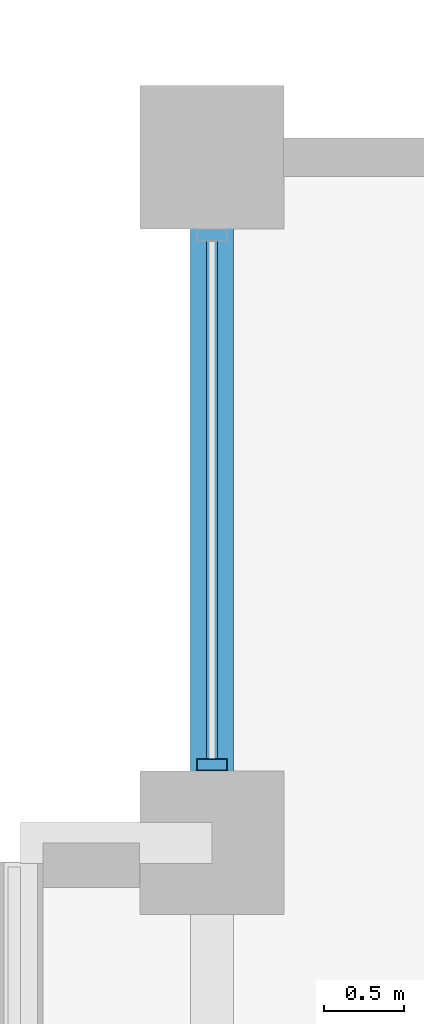
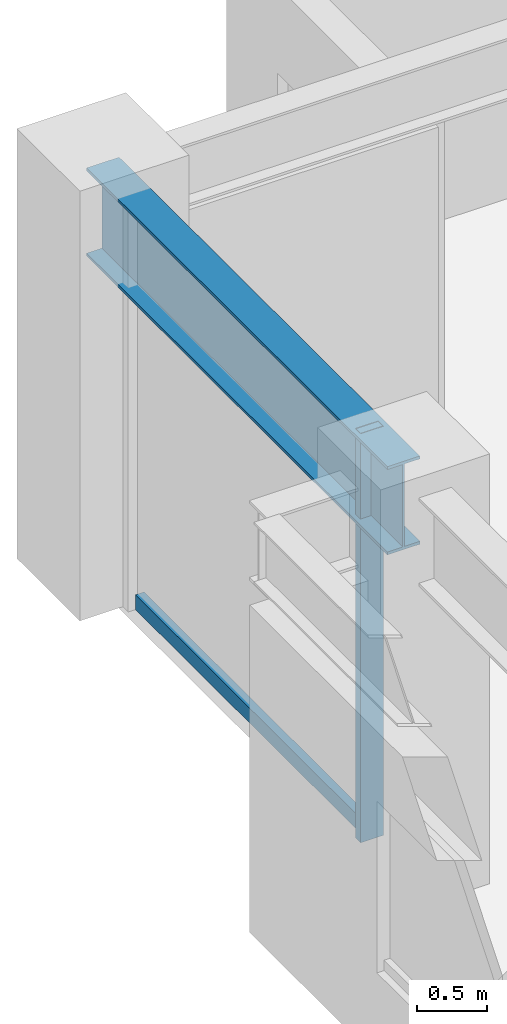
# One storey, part 13 of 28: 2 members, 1 beam, 1 element without a shape of its own.
"""IFC4 building model written with IfcOpenShell, lengths in metres."""

from ifc_helpers import new_model, si_unit, direction, frame, origin, origin_2d, place, context, subcontext, project, spatial, hollow_rectangle, i_section, extrude, material, layer, layer_set, material_profile, profile_set, type_object, element, aggregate, save


model = new_model("IFC4")

# Units and contexts
model_context = context("Model", 3, precision=1e-05, world=origin(), true_north=direction((0.0, 1.0)))
body_context = subcontext(model_context, "Body", "Model", "MODEL_VIEW")
ifc_project = project(units=[si_unit("LENGTHUNIT", "METRE"), si_unit("AREAUNIT", "SQUARE_METRE"), si_unit("VOLUMEUNIT", "CUBIC_METRE"), si_unit("PLANEANGLEUNIT", "RADIAN"), si_unit("MASSUNIT", "GRAM", prefix="KILO")], contexts=[model_context])

# Site, building, storey
site_placement = place(None, origin())
site = spatial("IfcSite", under=ifc_project, at=site_placement, CompositionType="ELEMENT")
building_placement = place(site_placement, origin())
building = spatial("IfcBuilding", under=site, at=building_placement, Name="Surkhivell Harbour Commons", CompositionType="ELEMENT")
storey_placement = place(building_placement, frame((0.0, 0.0, 182.25)))
storey = spatial("IfcBuildingStorey", under=building, at=storey_placement, Name="L47", CompositionType="ELEMENT", Elevation=182.25)

# Beam
ifc_material_1 = material(Name="Steel S355", Category="steel")
ifc_material_profile_1 = material_profile(ifc_material_1, i_section(OverallWidth=0.26806640625, OverallDepth=0.77001953125, WebThickness=0.015625, FlangeThickness=0.025390625, at=origin_2d()), Name="UB762x267x197")
ifc_profile_set_1 = profile_set([ifc_material_profile_1], Name="Steel S355")
beam_type = type_object("IfcBeamType", Name="BM-SPN-762", PredefinedType="SPANDREL", material=ifc_profile_set_1)
beam_placement = place(storey_placement, frame((-27.0, 16.199951171875, 3.18505859375), z_axis=(0.0, 1.0, 0.0), x_axis=(-1.0, 0.0, 0.0)))
element("IfcBeam", 1, at=beam_placement, inside=storey, type_object=beam_type, Name="L47 Tube Spandrel (-27.0,16.2)", PredefinedType="SPANDREL", context=body_context, shape_type="SweptSolid", body=[
    extrude(i_section(OverallWidth=0.26806640625, OverallDepth=0.77001953125, WebThickness=0.015625, FlangeThickness=0.025390625, at=origin_2d()), origin(), (0.0, 0.0, 1.0), 4.300048828125),
])

# Curtain wall, members
ifc_material_2 = material(Name="Anodised pale-metal aluminium and insulated glazing", Category="aluminium")
ifc_layer = layer(ifc_material_2, 0.18994140625)
ifc_layer_set = layer_set([ifc_layer], Name="Anodised pale-metal aluminium and insulated glazing")
curtain_wall_type = type_object("IfcCurtainWallType", Name="CW-SYS-Z3", PredefinedType="NOTDEFINED", material=ifc_layer_set)
curtain_wall_placement = place(storey_placement, origin())
curtain_wall = element("IfcCurtainWall", 2, at=curtain_wall_placement, inside=storey, type_object=curtain_wall_type, Name="L47 Curtain Wall CW-L47-E12R2", PredefinedType="NOTDEFINED")
ifc_material_3 = material(Name="Anodised pale-metal aluminium alloy 6063-T6", Category="aluminium")
ifc_material_profile_2 = material_profile(ifc_material_3, hollow_rectangle(XDim=0.074951171875, YDim=0.18994140625, WallThickness=0.00390625, at=origin_2d()), Name="ALU-MULL-75x190")
ifc_profile_set_2 = profile_set([ifc_material_profile_2], Name="Anodised pale-metal aluminium alloy 6063-T6")
member_type_1 = type_object("IfcMemberType", Name="CWM-190", PredefinedType="MULLION", material=ifc_profile_set_2)
member_1_placement = place(storey_placement, frame((-27.0, 16.689453125, 0.0), z_axis=(0.0, 0.0, 1.0), x_axis=(0.0, 1.0, 0.0)))
member_1 = element("IfcMember", 3, at=member_1_placement, type_object=member_type_1, Name="CW-Z3 mullion 1", PredefinedType="MULLION", context=body_context, shape_type="SweptSolid", body=[
    extrude(hollow_rectangle(XDim=0.074951171875, YDim=0.18994140625, WallThickness=0.00390625, at=origin_2d()), origin(), (0.0, 0.0, 1.0), 3.570068359375),
])
ifc_material_4 = material(Name="Champagne anodised aluminium alloy 6063-T6", Category="aluminium")
ifc_material_profile_3 = material_profile(ifc_material_4, hollow_rectangle(XDim=0.070068359375, YDim=0.1298828125, WallThickness=0.00341796875, at=origin_2d()), Name="ALU-TRAN-70x130")
ifc_profile_set_3 = profile_set([ifc_material_profile_3], Name="Champagne anodised aluminium alloy 6063-T6")
member_type_2 = type_object("IfcMemberType", Name="CWT-130", PredefinedType="USERDEFINED", material=ifc_profile_set_3)
member_2_placement = place(storey_placement, frame((-27.0, 16.72705078125, 0.06494140625), z_axis=(0.0, 1.0, 0.0), x_axis=(-1.0, 0.0, 0.0)))
member_2 = element("IfcMember", 4, at=member_2_placement, type_object=member_type_2, Name="CW-Z3 transom 1.1", ObjectType="TRANSOM", PredefinedType="USERDEFINED", context=body_context, shape_type="SweptSolid", body=[
    extrude(hollow_rectangle(XDim=0.070068359375, YDim=0.1298828125, WallThickness=0.00341796875, at=origin_2d()), origin(), (0.0, 0.0, 1.0), 3.245849609375),
])
aggregate(curtain_wall, [member_1, member_2])

save(model, "model.ifc")
